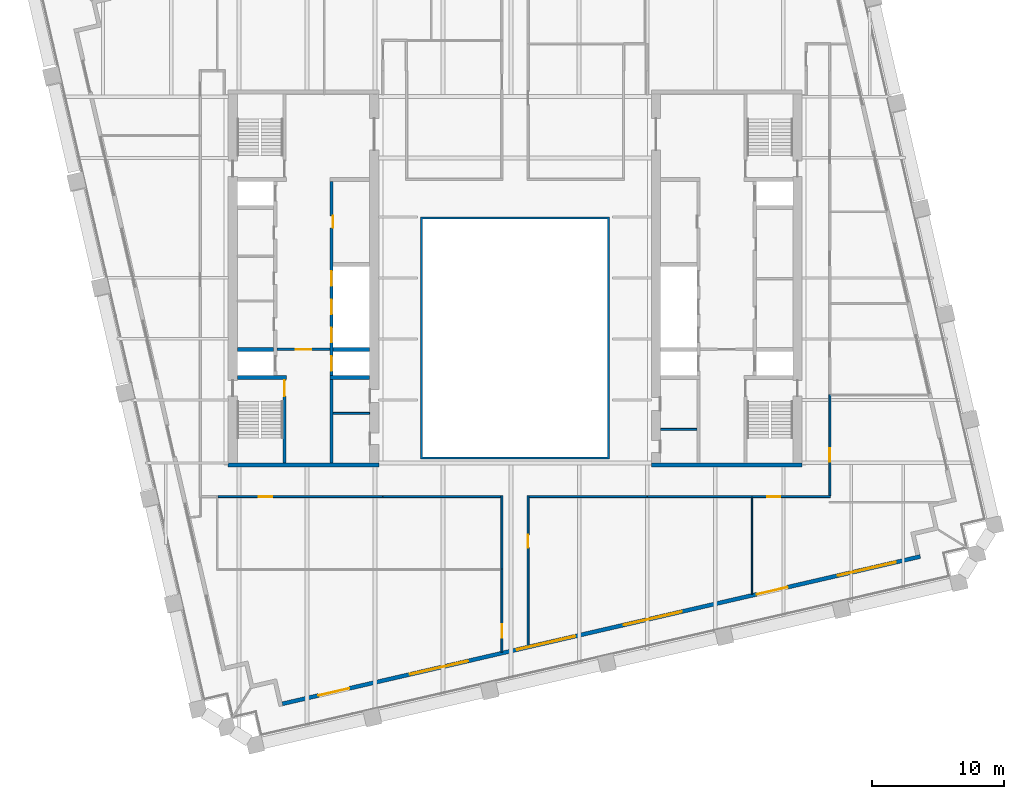
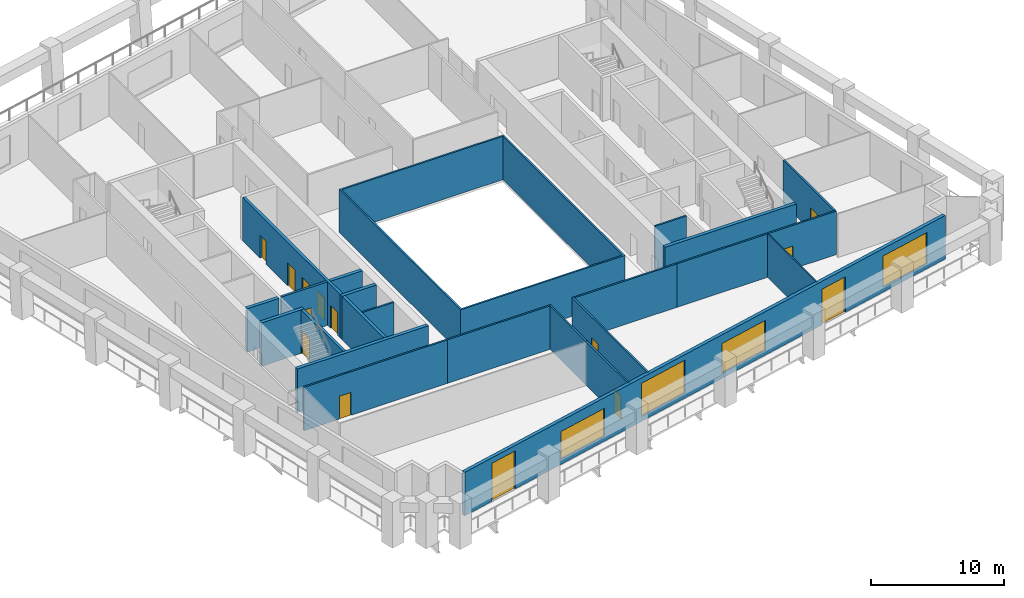
# One storey, part 4 of 10: 23 walls, 14 doors, 4 windows, 18 openings.
"""IFC4 building model written with IfcOpenShell, lengths in metres."""

from ifc_helpers import new_model, si_unit, direction, frame, frame_2d, origin, place, context, subcontext, project, spatial, polyline, rectangle, outline, extrude, material, layer, layer_set, type_object, element, fill, save


model = new_model("IFC4")

# Units and contexts
model_context = context("Model", 3, precision=1e-05, world=origin(), true_north=direction((0.0, 1.0)))
body_context = subcontext(model_context, "Body", "Model", "MODEL_VIEW")
ifc_project = project(units=[si_unit("LENGTHUNIT", "METRE"), si_unit("AREAUNIT", "SQUARE_METRE"), si_unit("VOLUMEUNIT", "CUBIC_METRE"), si_unit("PLANEANGLEUNIT", "RADIAN"), si_unit("MASSUNIT", "GRAM", prefix="KILO")], contexts=[model_context])

# Site, building, storey
site_placement = place(None, origin())
site = spatial("IfcSite", under=ifc_project, at=site_placement, CompositionType="ELEMENT")
building_placement = place(site_placement, origin())
building = spatial("IfcBuilding", under=site, at=building_placement, Name="Ogive Exchange Tower", CompositionType="ELEMENT")
storey_placement = place(building_placement, frame((0.0, 0.0, 196.800048828125)))
storey = spatial("IfcBuildingStorey", under=building, at=storey_placement, Name="L43", CompositionType="ELEMENT", Elevation=196.800048828125)

# Walls
ifc_material_1 = material(Name="Gypsum board partition")
ifc_layer_1 = layer(ifc_material_1, 0.14990234375)
ifc_layer_set_1 = layer_set([ifc_layer_1], Name="Core room partition 150 gypsum")
wall_type_1 = type_object("IfcWallType", Name="Core room partition 150 gypsum", PredefinedType="PARTITIONING", material=ifc_layer_set_1)
for number, where, z_axis, x_axis, name in (
    (1, (-13.75, 1.300048828125, 0.0), (0.0, 0.0, 1.0), (1.0, 0.0, 0.0), "W south room partition"),
    (2, (11.0, 0.10009765625, 0.0), (0.0, 0.0, 1.0), (1.0, 0.0, 0.0), "E south room partition"),
):
    element("IfcWall", number, at=place(storey_placement, frame(where, z_axis=z_axis, x_axis=x_axis)), inside=storey, type_object=wall_type_1, Name=name, PredefinedType="PARTITIONING", context=body_context, shape_type="SweptSolid", body=[
        extrude(rectangle(XDim=2.75, YDim=0.14990234375, at=frame_2d((1.375, 0.0))), origin(), (0.0, 0.0, 1.0), 4.0),
    ])

# Wall, opening, door
ifc_material_2 = material(Name="Fire partition EI 60 150")
ifc_layer_2 = layer(ifc_material_2, 0.14990234375)
ifc_layer_set_2 = layer_set([ifc_layer_2], Name="Fire partition EI 60 150")
wall_type_2 = type_object("IfcWallType", Name="Fire partition EI 60 150", PredefinedType="PARTITIONING", material=ifc_layer_set_2)
wall_1_placement = place(storey_placement, frame((-10.0, -5.0, 0.0), z_axis=(0.0, 0.0, 1.0), x_axis=(-1.0, 0.0, 0.0)))
wall_1 = element("IfcWall", 3, at=wall_1_placement, inside=storey, type_object=wall_type_2, Name="L43-PWL-013", PredefinedType="PARTITIONING", context=body_context, shape_type="SweptSolid", body=[
    extrude(rectangle(XDim=12.469970703125, YDim=0.14990234375, at=frame_2d((6.23486328125, 0.0))), origin(), (0.0, 0.0, 1.0), 4.0),
])
opening_1_placement = place(wall_1_placement, frame((8.3701171875, 0.0, 0.0)))
opening_1 = element("IfcOpeningElement", 4, at=opening_1_placement, cuts=wall_1, Name="Opening L43-I07", PredefinedType="OPENING", context=body_context, shape_type="SweptSolid", body=[
    extrude(rectangle(XDim=1.0, YDim=2.10009765625, at=frame_2d((0.5, 1.050048828125))), frame((0.0, 0.0849609375, 0.0), z_axis=(0.0, -1.0, 0.0), x_axis=(1.0, 0.0, 0.0)), (0.0, 0.0, 1.0), 0.169921875),
])
ifc_material_3 = material(Name="Fire door FD 30S 1000 x 2100")
door_type_1 = type_object("IfcDoorType", Name="Fire door FD 30S 1000 x 2100", OperationType="NOTDEFINED", PredefinedType="DOOR", material=ifc_material_3)
door_1_placement = place(opening_1_placement, origin())
door_1 = element("IfcDoor", 5, at=door_1_placement, inside=storey, type_object=door_type_1, Name="L43-IDR-007", ObjectType="DT3", OperationType="SINGLE_SWING_LEFT", OverallHeight=2.10009765625, OverallWidth=1.0, PredefinedType="DOOR", context=body_context, shape_type="SweptSolid", body=[
    extrude(rectangle(XDim=1.0, YDim=2.10009765625, at=frame_2d((0.5, 1.050048828125))), frame((0.0, 0.02490234375, 0.0), z_axis=(0.0, -1.0, 0.0), x_axis=(1.0, 0.0, 0.0)), (0.0, 0.0, 1.0), 0.050048828125),
])
fill(opening_1, door_1)

wall_2_placement = place(storey_placement, frame((-0.989990234375, -16.7529296875, 0.0), z_axis=(0.0, 0.0, 1.0), x_axis=(0.0, 1.0, 0.0)))
wall_2 = element("IfcWall", 6, at=wall_2_placement, inside=storey, type_object=wall_type_2, Name="L43-PWL-023", PredefinedType="PARTITIONING", context=body_context, shape_type="SweptSolid", body=[
    extrude(rectangle(XDim=6.302978515625, YDim=0.14990234375, at=frame_2d((3.1513671875, 0.0))), origin(), (0.0, 0.0, 1.0), 4.0),
])
opening_2_placement = place(wall_2_placement, frame((1.10302734375, 0.0, 0.0)))
opening_2 = element("IfcOpeningElement", 7, at=opening_2_placement, cuts=wall_2, Name="Opening L43-I08", PredefinedType="OPENING", context=body_context, shape_type="SweptSolid", body=[
    extrude(rectangle(XDim=1.0, YDim=2.10009765625, at=frame_2d((0.5, 1.050048828125))), frame((0.0, 0.0849609375, 0.0), z_axis=(0.0, -1.0, 0.0), x_axis=(1.0, 0.0, 0.0)), (0.0, 0.0, 1.0), 0.169921875),
])
door_2_placement = place(opening_2_placement, origin())
door_2 = element("IfcDoor", 8, at=door_2_placement, inside=storey, type_object=door_type_1, Name="L43-IDR-008", ObjectType="DT3", OperationType="SINGLE_SWING_RIGHT", OverallHeight=2.10009765625, OverallWidth=1.0, PredefinedType="DOOR", context=body_context, shape_type="SweptSolid", body=[
    extrude(rectangle(XDim=1.0, YDim=2.10009765625, at=frame_2d((0.5, 1.050048828125))), frame((0.0, 0.02490234375, 0.0), z_axis=(0.0, -1.0, 0.0), x_axis=(1.0, 0.0, 0.0)), (0.0, 0.0, 1.0), 0.050048828125),
])
fill(opening_2, door_2)

# Walls
wall_3_placement = place(storey_placement, frame((-0.989990234375, -10.449951171875, 0.0), z_axis=(0.0, 0.0, 1.0), x_axis=(0.0, 1.0, 0.0)))
element("IfcWall", 9, at=wall_3_placement, inside=storey, type_object=wall_type_2, Name="L43-PWL-025", PredefinedType="PARTITIONING", context=body_context, shape_type="SweptSolid", body=[
    extrude(rectangle(XDim=5.52490234375, YDim=0.14990234375, at=frame_2d((2.762451171875, 0.0))), origin(), (0.0, 0.0, 1.0), 4.0),
])
wall_4_placement = place(storey_placement, frame((-1.06494140625, -5.0, 0.0), z_axis=(0.0, 0.0, 1.0), x_axis=(-1.0, 0.0, 0.0)))
element("IfcWall", 10, at=wall_4_placement, inside=storey, type_object=wall_type_2, Name="L43-PWL-026", PredefinedType="PARTITIONING", context=body_context, shape_type="SweptSolid", body=[
    extrude(rectangle(XDim=8.93505859375, YDim=0.14990234375, at=frame_2d((4.467529296875, 0.0))), origin(), (0.0, 0.0, 1.0), 4.0),
])

# Wall, opening, door
wall_5_placement = place(storey_placement, frame((0.989990234375, -4.925048828125, 0.0), z_axis=(0.0, 0.0, 1.0), x_axis=(0.0, -1.0, 0.0)))
wall_5 = element("IfcWall", 11, at=wall_5_placement, inside=storey, type_object=wall_type_2, Name="L43-PWL-029", PredefinedType="PARTITIONING", context=body_context, shape_type="SweptSolid", body=[
    extrude(rectangle(XDim=11.370849609375, YDim=0.14990234375, at=frame_2d((5.685546875, 0.0))), origin(), (0.0, 0.0, 1.0), 4.0),
])
opening_3_placement = place(wall_5_placement, frame((2.945068359375, 0.0, 0.0)))
opening_3 = element("IfcOpeningElement", 12, at=opening_3_placement, cuts=wall_5, Name="Opening L43-I12", PredefinedType="OPENING", context=body_context, shape_type="SweptSolid", body=[
    extrude(rectangle(XDim=1.0, YDim=2.10009765625, at=frame_2d((0.5, 1.050048828125))), frame((0.0, 0.0849609375, 0.0), z_axis=(0.0, -1.0, 0.0), x_axis=(1.0, 0.0, 0.0)), (0.0, 0.0, 1.0), 0.169921875),
])
door_3_placement = place(opening_3_placement, origin())
door_3 = element("IfcDoor", 13, at=door_3_placement, inside=storey, type_object=door_type_1, Name="L43-IDR-012", ObjectType="DT3", OperationType="SINGLE_SWING_RIGHT", OverallHeight=2.10009765625, OverallWidth=1.0, PredefinedType="DOOR", context=body_context, shape_type="SweptSolid", body=[
    extrude(rectangle(XDim=1.0, YDim=2.10009765625, at=frame_2d((0.5, 1.050048828125))), frame((0.0, 0.02490234375, 0.0), z_axis=(0.0, -1.0, 0.0), x_axis=(1.0, 0.0, 0.0)), (0.0, 0.0, 1.0), 0.050048828125),
])
fill(opening_3, door_3)

# Walls
wall_6_placement = place(storey_placement, frame((10.0, -5.0, 0.0), z_axis=(0.0, 0.0, 1.0), x_axis=(-1.0, 0.0, 0.0)))
element("IfcWall", 14, at=wall_6_placement, inside=storey, type_object=wall_type_2, Name="L43-PWL-039", PredefinedType="PARTITIONING", context=body_context, shape_type="SweptSolid", body=[
    extrude(rectangle(XDim=8.93505859375, YDim=0.14990234375, at=frame_2d((4.467529296875, 0.0))), origin(), (0.0, 0.0, 1.0), 4.0),
])
wall_7_placement = place(storey_placement, frame((17.969970703125, -5.0, 0.0), z_axis=(0.0, 0.0, 1.0), x_axis=(-1.0, 0.0, 0.0)))
element("IfcWall", 15, at=wall_7_placement, inside=storey, type_object=wall_type_2, Name="L43-PWL-041", PredefinedType="PARTITIONING", context=body_context, shape_type="SweptSolid", body=[
    extrude(rectangle(XDim=7.969970703125, YDim=0.14990234375, at=frame_2d((3.98486328125, 0.0))), origin(), (0.0, 0.0, 1.0), 4.0),
])

# Wall, opening, door
wall_8_placement = place(storey_placement, frame((23.840087890625, -5.0, 0.0), z_axis=(0.0, 0.0, 1.0), x_axis=(-1.0, 0.0, 0.0)))
wall_8 = element("IfcWall", 16, at=wall_8_placement, inside=storey, type_object=wall_type_2, Name="L43-PWL-047", PredefinedType="PARTITIONING", context=body_context, shape_type="SweptSolid", body=[
    extrude(rectangle(XDim=5.920166015625, YDim=0.14990234375, at=frame_2d((2.9599609375, 0.0))), origin(), (0.0, 0.0, 1.0), 4.0),
])
opening_4_placement = place(wall_8_placement, frame((3.77001953125, 0.0, 0.0)))
opening_4 = element("IfcOpeningElement", 17, at=opening_4_placement, cuts=wall_8, Name="Opening L43-I13", PredefinedType="OPENING", context=body_context, shape_type="SweptSolid", body=[
    extrude(rectangle(XDim=1.0, YDim=2.10009765625, at=frame_2d((0.5, 1.050048828125))), frame((0.0, 0.0849609375, 0.0), z_axis=(0.0, -1.0, 0.0), x_axis=(1.0, 0.0, 0.0)), (0.0, 0.0, 1.0), 0.169921875),
])
door_4_placement = place(opening_4_placement, origin())
door_4 = element("IfcDoor", 18, at=door_4_placement, inside=storey, type_object=door_type_1, Name="L43-IDR-013", ObjectType="DT3", OperationType="SINGLE_SWING_LEFT", OverallHeight=2.10009765625, OverallWidth=1.0, PredefinedType="DOOR", context=body_context, shape_type="SweptSolid", body=[
    extrude(rectangle(XDim=1.0, YDim=2.10009765625, at=frame_2d((0.5, 1.050048828125))), frame((0.0, 0.02490234375, 0.0), z_axis=(0.0, -1.0, 0.0), x_axis=(1.0, 0.0, 0.0)), (0.0, 0.0, 1.0), 0.050048828125),
])
fill(opening_4, door_4)

wall_9_placement = place(storey_placement, frame((23.800048828125, 2.739990234375, 0.0), z_axis=(0.0, 0.0, 1.0), x_axis=(0.0, -1.0, 0.0)))
wall_9 = element("IfcWall", 19, at=wall_9_placement, inside=storey, type_object=wall_type_2, Name="L43-PWL-050", PredefinedType="PARTITIONING", context=body_context, shape_type="SweptSolid", body=[
    extrude(rectangle(XDim=7.6650390625, YDim=0.14990234375, at=frame_2d((3.83251953125, 0.0))), origin(), (0.0, 0.0, 1.0), 4.0),
])
opening_5_placement = place(wall_9_placement, frame((4.090087890625, 0.0, 0.0)))
opening_5 = element("IfcOpeningElement", 20, at=opening_5_placement, cuts=wall_9, Name="Opening L43-I15", PredefinedType="OPENING", context=body_context, shape_type="SweptSolid", body=[
    extrude(rectangle(XDim=1.0, YDim=2.10009765625, at=frame_2d((0.5, 1.050048828125))), frame((0.0, 0.0849609375, 0.0), z_axis=(0.0, -1.0, 0.0), x_axis=(1.0, 0.0, 0.0)), (0.0, 0.0, 1.0), 0.169921875),
])
door_5_placement = place(opening_5_placement, origin())
door_5 = element("IfcDoor", 21, at=door_5_placement, inside=storey, type_object=door_type_1, Name="L43-IDR-015", ObjectType="DT3", OperationType="SINGLE_SWING_LEFT", OverallHeight=2.10009765625, OverallWidth=1.0, PredefinedType="DOOR", context=body_context, shape_type="SweptSolid", body=[
    extrude(rectangle(XDim=1.0, YDim=2.10009765625, at=frame_2d((0.5, 1.050048828125))), frame((0.0, 0.02490234375, 0.0), z_axis=(0.0, -1.0, 0.0), x_axis=(1.0, 0.0, 0.0)), (0.0, 0.0, 1.0), 0.050048828125),
])
fill(opening_5, door_5)

# Wall
ifc_material_4 = material(Name="Fire-resisting glass in steel frame", Category="steel")
ifc_layer_3 = layer(ifc_material_4, 0.14990234375)
ifc_layer_set_3 = layer_set([ifc_layer_3], Name="Fire-rated glazed wall 150")
wall_type_3 = type_object("IfcWallType", Name="Fire-rated glazed wall 150", PredefinedType="STANDARD", material=ifc_layer_set_3)
wall_10_placement = place(storey_placement, origin())
element("IfcWall", 22, at=wall_10_placement, inside=storey, type_object=wall_type_3, Name="Nave enclosure wall", PredefinedType="STANDARD", context=body_context, shape_type="SweptSolid", body=[
    extrude(outline(polyline([(-7.14990234375, -2.14990234375), (7.14990234375, -2.14990234375), (7.14990234375, 16.14990234375), (-7.14990234375, 16.14990234375), (-7.14990234375, -2.14990234375)]), holes=[polyline([(-7.0, -2.0), (-7.0, 16.0), (7.0, 16.0), (7.0, -2.0), (-7.0, -2.0)])]), origin(), (0.0, 0.0, 1.0), 4.0),
])

# Wall, openings, doors, windows
ifc_material_5 = material(Name="Precast concrete C40/50", Category="concrete")
ifc_layer_4 = layer(ifc_material_5, 0.300048828125)
ifc_layer_set_4 = layer_set([ifc_layer_4], Name="Limestone-faced wall 300")
wall_type_4 = type_object("IfcWallType", Name="Limestone-faced wall 300", PredefinedType="STANDARD", material=ifc_layer_set_4)
wall_11_placement = place(storey_placement, frame((-17.592041015625, -20.6572265625, 0.0), z_axis=(0.0, 0.0, 1.0), x_axis=(0.974370243697, 0.224950279389, 0.0)))
wall_11 = element("IfcWall", 23, at=wall_11_placement, inside=storey, type_object=wall_type_4, Name="External wall S1", PredefinedType="STANDARD", context=body_context, shape_type="SweptSolid", body=[
    extrude(rectangle(XDim=49.499755859375, YDim=0.300048828125, at=frame_2d((24.75, 0.0))), origin(), (0.0, 0.0, 1.0), 4.0),
])
opening_6_placement = place(wall_11_placement, frame((2.800048828125, 0.0, 0.0)))
opening_6 = element("IfcOpeningElement", 24, at=opening_6_placement, cuts=wall_11, Name="Opening D1", PredefinedType="OPENING", context=body_context, shape_type="SweptSolid", body=[
    extrude(rectangle(XDim=2.39990234375, YDim=3.5, at=frame_2d((1.199951171875, 1.75))), frame((0.0, 0.159912109375, 0.0), z_axis=(0.0, -1.0, 0.0), x_axis=(1.0, 0.0, 0.0)), (0.0, 0.0, 1.0), 0.320068359375),
])
opening_7_placement = place(wall_11_placement, frame((9.89990234375, 0.0, 0.449951171875)))
opening_7 = element("IfcOpeningElement", 25, at=opening_7_placement, cuts=wall_11, Name="Opening W1M", PredefinedType="OPENING", context=body_context, shape_type="SweptSolid", body=[
    extrude(rectangle(XDim=4.5, YDim=2.574951171875, at=frame_2d((2.25, 1.28759765625))), frame((0.0, 0.159912109375, 0.0), z_axis=(0.0, -1.0, 0.0), x_axis=(1.0, 0.0, 0.0)), (0.0, 0.0, 1.0), 0.320068359375),
])
opening_8_placement = place(wall_11_placement, frame((18.199951171875, 0.0, 0.449951171875)))
opening_8 = element("IfcOpeningElement", 26, at=opening_8_placement, cuts=wall_11, Name="Opening W1", PredefinedType="OPENING", context=body_context, shape_type="SweptSolid", body=[
    extrude(rectangle(XDim=4.5, YDim=3.050048828125, at=frame_2d((2.25, 1.52490234375))), frame((0.0, 0.159912109375, 0.0), z_axis=(0.0, -1.0, 0.0), x_axis=(1.0, 0.0, 0.0)), (0.0, 0.0, 1.0), 0.320068359375),
])
opening_9_placement = place(wall_11_placement, frame((26.5, 0.0, 0.449951171875)))
opening_9 = element("IfcOpeningElement", 27, at=opening_9_placement, cuts=wall_11, Name="Opening W1H", PredefinedType="OPENING", context=body_context, shape_type="SweptSolid", body=[
    extrude(rectangle(XDim=4.5, YDim=2.75, at=frame_2d((2.25, 1.375))), frame((0.0, 0.159912109375, 0.0), z_axis=(0.0, -1.0, 0.0), x_axis=(1.0, 0.0, 0.0)), (0.0, 0.0, 1.0), 0.320068359375),
])
opening_10_placement = place(wall_11_placement, frame((36.800048828125, 0.0, 0.0)))
opening_10 = element("IfcOpeningElement", 28, at=opening_10_placement, cuts=wall_11, Name="Opening D1E", PredefinedType="OPENING", context=body_context, shape_type="SweptSolid", body=[
    extrude(rectangle(XDim=2.39990234375, YDim=3.27490234375, at=frame_2d((1.199951171875, 1.637451171875))), frame((0.0, 0.159912109375, 0.0), z_axis=(0.0, -1.0, 0.0), x_axis=(1.0, 0.0, 0.0)), (0.0, 0.0, 1.0), 0.320068359375),
])
opening_11_placement = place(wall_11_placement, frame((43.10009765625, 0.0, 0.449951171875)))
opening_11 = element("IfcOpeningElement", 29, at=opening_11_placement, cuts=wall_11, Name="Opening W1D", PredefinedType="OPENING", context=body_context, shape_type="SweptSolid", body=[
    extrude(rectangle(XDim=4.5, YDim=2.875, at=frame_2d((2.25, 1.4375))), frame((0.0, 0.159912109375, 0.0), z_axis=(0.0, -1.0, 0.0), x_axis=(1.0, 0.0, 0.0)), (0.0, 0.0, 1.0), 0.320068359375),
])
ifc_material_6 = material(Name="Clear glass in bronze frame", Category="glass")
door_type_2 = type_object("IfcDoorType", Name="Sliding loggia door 2400 x 3275", OperationType="DOUBLE_DOOR_SLIDING", PredefinedType="DOOR", material=ifc_material_6)
door_6_placement = place(opening_10_placement, origin())
door_6 = element("IfcDoor", 30, at=door_6_placement, inside=storey, type_object=door_type_2, Name="Loggia door S04", OperationType="DOUBLE_DOOR_SLIDING", OverallHeight=3.27490234375, OverallWidth=2.39990234375, PredefinedType="DOOR", context=body_context, shape_type="SweptSolid", body=[
    extrude(rectangle(XDim=2.39990234375, YDim=3.27490234375, at=frame_2d((1.199951171875, 1.637451171875))), frame((0.0, 0.02490234375, 0.0), z_axis=(0.0, -1.0, 0.0), x_axis=(1.0, 0.0, 0.0)), (0.0, 0.0, 1.0), 0.050048828125),
])
fill(opening_10, door_6)
door_type_3 = type_object("IfcDoorType", Name="Sliding loggia door 2400 x 3500", OperationType="DOUBLE_DOOR_SLIDING", PredefinedType="DOOR", material=ifc_material_6)
door_7_placement = place(opening_6_placement, origin())
door_7 = element("IfcDoor", 31, at=door_7_placement, inside=storey, type_object=door_type_3, Name="Loggia door S00", OperationType="DOUBLE_DOOR_SLIDING", OverallHeight=3.5, OverallWidth=2.39990234375, PredefinedType="DOOR", context=body_context, shape_type="SweptSolid", body=[
    extrude(rectangle(XDim=2.39990234375, YDim=3.5, at=frame_2d((1.199951171875, 1.75))), frame((0.0, 0.02490234375, 0.0), z_axis=(0.0, -1.0, 0.0), x_axis=(1.0, 0.0, 0.0)), (0.0, 0.0, 1.0), 0.050048828125),
])
fill(opening_6, door_7)
window_type_1 = type_object("IfcWindowType", Name="Twin lancet window 4500 x 2575", PartitioningType="DOUBLE_PANEL_VERTICAL", PredefinedType="WINDOW", material=ifc_material_6)
window_1_placement = place(opening_7_placement, origin())
window_1 = element("IfcWindow", 32, at=window_1_placement, inside=storey, type_object=window_type_1, Name="Window S01", OverallHeight=2.574951171875, OverallWidth=4.5, PartitioningType="DOUBLE_PANEL_VERTICAL", PredefinedType="WINDOW", context=body_context, shape_type="SweptSolid", body=[
    extrude(rectangle(XDim=4.5, YDim=2.574951171875, at=frame_2d((2.25, 1.28759765625))), frame((0.0, 0.030029296875, 0.0), z_axis=(0.0, -1.0, 0.0), x_axis=(1.0, 0.0, 0.0)), (0.0, 0.0, 1.0), 0.06005859375),
])
fill(opening_7, window_1)
window_type_2 = type_object("IfcWindowType", Name="Twin lancet window 4500 x 2750", PartitioningType="DOUBLE_PANEL_VERTICAL", PredefinedType="WINDOW", material=ifc_material_6)
window_2_placement = place(opening_9_placement, origin())
window_2 = element("IfcWindow", 33, at=window_2_placement, inside=storey, type_object=window_type_2, Name="Window S03", OverallHeight=2.75, OverallWidth=4.5, PartitioningType="DOUBLE_PANEL_VERTICAL", PredefinedType="WINDOW", context=body_context, shape_type="SweptSolid", body=[
    extrude(rectangle(XDim=4.5, YDim=2.75, at=frame_2d((2.25, 1.375))), frame((0.0, 0.030029296875, 0.0), z_axis=(0.0, -1.0, 0.0), x_axis=(1.0, 0.0, 0.0)), (0.0, 0.0, 1.0), 0.06005859375),
])
fill(opening_9, window_2)
window_type_3 = type_object("IfcWindowType", Name="Twin lancet window 4500 x 2875", PartitioningType="DOUBLE_PANEL_VERTICAL", PredefinedType="WINDOW", material=ifc_material_6)
window_3_placement = place(opening_11_placement, origin())
window_3 = element("IfcWindow", 34, at=window_3_placement, inside=storey, type_object=window_type_3, Name="Window S05", OverallHeight=2.875, OverallWidth=4.5, PartitioningType="DOUBLE_PANEL_VERTICAL", PredefinedType="WINDOW", context=body_context, shape_type="SweptSolid", body=[
    extrude(rectangle(XDim=4.5, YDim=2.875, at=frame_2d((2.25, 1.4375))), frame((0.0, 0.030029296875, 0.0), z_axis=(0.0, -1.0, 0.0), x_axis=(1.0, 0.0, 0.0)), (0.0, 0.0, 1.0), 0.06005859375),
])
fill(opening_11, window_3)
window_type_4 = type_object("IfcWindowType", Name="Twin lancet window 4500 x 3050", PartitioningType="DOUBLE_PANEL_VERTICAL", PredefinedType="WINDOW", material=ifc_material_6)
window_4_placement = place(opening_8_placement, origin())
window_4 = element("IfcWindow", 35, at=window_4_placement, inside=storey, type_object=window_type_4, Name="Window S02", OverallHeight=3.050048828125, OverallWidth=4.5, PartitioningType="DOUBLE_PANEL_VERTICAL", PredefinedType="WINDOW", context=body_context, shape_type="SweptSolid", body=[
    extrude(rectangle(XDim=4.5, YDim=3.050048828125, at=frame_2d((2.25, 1.52490234375))), frame((0.0, 0.030029296875, 0.0), z_axis=(0.0, -1.0, 0.0), x_axis=(1.0, 0.0, 0.0)), (0.0, 0.0, 1.0), 0.06005859375),
])
fill(opening_8, window_4)

# Wall
ifc_material_7 = material(Name="Partition 100 gypsum")
ifc_layer_5 = layer(ifc_material_7, 0.10009765625)
ifc_layer_set_5 = layer_set([ifc_layer_5], Name="Partition 100 gypsum")
wall_type_5 = type_object("IfcWallType", Name="Partition 100 gypsum", PredefinedType="PARTITIONING", material=ifc_layer_set_5)
wall_12_placement = place(storey_placement, frame((17.919921875, -5.074951171875, 0.0), z_axis=(0.0, 0.0, 1.0), x_axis=(0.0, -1.0, 0.0)))
element("IfcWall", 36, at=wall_12_placement, inside=storey, type_object=wall_type_5, Name="L43-PWL-042", PredefinedType="PARTITIONING", context=body_context, shape_type="SweptSolid", body=[
    extrude(rectangle(XDim=7.31201171875, YDim=0.10009765625, at=frame_2d((3.656005859375, 0.0))), origin(), (0.0, 0.0, 1.0), 4.0),
])

# Wall, opening, door
ifc_material_8 = material(Name="Concrete C70/85", Category="concrete")
ifc_layer_6 = layer(ifc_material_8, 0.199951171875)
ifc_layer_set_6 = layer_set([ifc_layer_6], Name="RC core wall 200 C70/85")
wall_type_6 = type_object("IfcWallType", Name="RC core wall 200 C70/85", PredefinedType="SHEAR", material=ifc_layer_set_6)
wall_13_placement = place(storey_placement, frame((-18.0, 6.142822265625, 0.0), z_axis=(0.0, 0.0, 1.0), x_axis=(1.0, 0.0, 0.0)))
wall_13 = element("IfcWall", 37, at=wall_13_placement, inside=storey, type_object=wall_type_6, Name="W firefighting lobby wall", PredefinedType="SHEAR", context=body_context, shape_type="SweptSolid", body=[
    extrude(rectangle(XDim=4.0, YDim=0.199951171875, at=frame_2d((2.0, 0.0))), origin(), (0.0, 0.0, 1.0), 4.0),
])
opening_12_placement = place(wall_13_placement, frame((1.39990234375, 0.0, 0.0)))
opening_12 = element("IfcOpeningElement", 38, at=opening_12_placement, cuts=wall_13, Name="Opening L43-C11", PredefinedType="OPENING", context=body_context, shape_type="SweptSolid", body=[
    extrude(rectangle(XDim=1.199951171875, YDim=2.10009765625, at=frame_2d((0.60009765625, 1.050048828125))), frame((0.0, 0.10986328125, 0.0), z_axis=(0.0, -1.0, 0.0), x_axis=(1.0, 0.0, 0.0)), (0.0, 0.0, 1.0), 0.219970703125),
])
ifc_material_9 = material(Name="Steel fire door", Category="steel")
door_type_4 = type_object("IfcDoorType", Name="Firefighting lobby door FD60 1200 x 2100", OperationType="NOTDEFINED", PredefinedType="DOOR", material=ifc_material_9)
door_8_placement = place(opening_12_placement, frame((1.199951171875, 0.0, 0.0), z_axis=(0.0, 0.0, 1.0), x_axis=(-1.0, 0.0, 0.0)))
door_8 = element("IfcDoor", 39, at=door_8_placement, inside=storey, type_object=door_type_4, Name="Firefighting lobby door", ObjectType="CD3", OperationType="SINGLE_SWING_LEFT", OverallHeight=2.10009765625, OverallWidth=1.199951171875, PredefinedType="DOOR", context=body_context, shape_type="SweptSolid", body=[
    extrude(rectangle(XDim=1.199951171875, YDim=2.10009765625, at=frame_2d((0.60009765625, 1.050048828125))), frame((0.0, 0.02490234375, 0.0), z_axis=(0.0, -1.0, 0.0), x_axis=(1.0, 0.0, 0.0)), (0.0, 0.0, 1.0), 0.050048828125),
])
fill(opening_12, door_8)

ifc_layer_7 = layer(ifc_material_8, 0.25)
ifc_layer_set_7 = layer_set([ifc_layer_7], Name="RC core wall 250 C70/85")
wall_type_7 = type_object("IfcWallType", Name="RC core wall 250 C70/85", PredefinedType="SHEAR", material=ifc_layer_set_7)
wall_14_placement = place(storey_placement, frame((-17.425048828125, -2.449951171875, 0.0), z_axis=(0.0, 0.0, 1.0), x_axis=(0.0, 1.0, 0.0)))
wall_14 = element("IfcWall", 40, at=wall_14_placement, inside=storey, type_object=wall_type_7, Name="W stair S front wall", PredefinedType="SHEAR", context=body_context, shape_type="SweptSolid", body=[
    extrude(rectangle(XDim=6.300048828125, YDim=0.25, at=frame_2d((3.14990234375, 0.0))), origin(), (0.0, 0.0, 1.0), 4.0),
])
opening_13_placement = place(wall_14_placement, frame((5.050048828125, 0.0, 0.0)))
opening_13 = element("IfcOpeningElement", 41, at=opening_13_placement, cuts=wall_14, Name="Opening L43-C13", PredefinedType="OPENING", context=body_context, shape_type="SweptSolid", body=[
    extrude(rectangle(XDim=1.199951171875, YDim=2.10009765625, at=frame_2d((0.60009765625, 1.050048828125))), frame((0.0, 0.135009765625, 0.0), z_axis=(0.0, -1.0, 0.0), x_axis=(1.0, 0.0, 0.0)), (0.0, 0.0, 1.0), 0.27001953125),
])
door_type_5 = type_object("IfcDoorType", Name="Stair door FD90 1200 x 2100", OperationType="NOTDEFINED", PredefinedType="DOOR", material=ifc_material_9)
door_9_placement = place(opening_13_placement, origin())
door_9 = element("IfcDoor", 42, at=door_9_placement, inside=storey, type_object=door_type_5, Name="Stair door", ObjectType="CD5", OperationType="SINGLE_SWING_LEFT", OverallHeight=2.10009765625, OverallWidth=1.199951171875, PredefinedType="DOOR", context=body_context, shape_type="SweptSolid", body=[
    extrude(rectangle(XDim=1.199951171875, YDim=2.10009765625, at=frame_2d((0.60009765625, 1.050048828125))), frame((0.0, 0.02490234375, 0.0), z_axis=(0.0, -1.0, 0.0), x_axis=(1.0, 0.0, 0.0)), (0.0, 0.0, 1.0), 0.050048828125),
])
fill(opening_13, door_9)

# Wall, openings, doors
wall_15_placement = place(storey_placement, frame((-13.875, -2.449951171875, 0.0), z_axis=(0.0, 0.0, 1.0), x_axis=(0.0, 1.0, 0.0)))
wall_15 = element("IfcWall", 43, at=wall_15_placement, inside=storey, type_object=wall_type_7, Name="W row B front wall", PredefinedType="SHEAR", context=body_context, shape_type="SweptSolid", body=[
    extrude(rectangle(XDim=21.300048828125, YDim=0.25, at=frame_2d((10.64990234375, 0.0))), origin(), (0.0, 0.0, 1.0), 4.0),
])
opening_14_placement = place(wall_15_placement, frame((17.78564453125, 0.0, 0.0)))
opening_14 = element("IfcOpeningElement", 44, at=opening_14_placement, cuts=wall_15, Name="Opening L43-C06", PredefinedType="OPENING", context=body_context, shape_type="SweptSolid", body=[
    extrude(rectangle(XDim=0.89990234375, YDim=2.10009765625, at=frame_2d((0.449951171875, 1.050048828125))), frame((0.0, 0.135009765625, 0.0), z_axis=(0.0, -1.0, 0.0), x_axis=(1.0, 0.0, 0.0)), (0.0, 0.0, 1.0), 0.27001953125),
])
opening_15_placement = place(wall_15_placement, frame((6.971435546875, 0.0, 0.0)))
opening_15 = element("IfcOpeningElement", 45, at=opening_15_placement, cuts=wall_15, Name="Opening L43-C07", PredefinedType="OPENING", context=body_context, shape_type="SweptSolid", body=[
    extrude(rectangle(XDim=1.10009765625, YDim=2.10009765625, at=frame_2d((0.550048828125, 1.050048828125))), frame((0.0, 0.135009765625, 0.0), z_axis=(0.0, -1.0, 0.0), x_axis=(1.0, 0.0, 0.0)), (0.0, 0.0, 1.0), 0.27001953125),
])
opening_16_placement = place(wall_15_placement, frame((9.1142578125, 0.0, 0.0)))
opening_16 = element("IfcOpeningElement", 46, at=opening_16_placement, cuts=wall_15, Name="Opening L43-C08", PredefinedType="OPENING", context=body_context, shape_type="SweptSolid", body=[
    extrude(rectangle(XDim=1.10009765625, YDim=2.10009765625, at=frame_2d((0.550048828125, 1.050048828125))), frame((0.0, 0.135009765625, 0.0), z_axis=(0.0, -1.0, 0.0), x_axis=(1.0, 0.0, 0.0)), (0.0, 0.0, 1.0), 0.27001953125),
])
opening_17_placement = place(wall_15_placement, frame((11.257080078125, 0.0, 0.0)))
opening_17 = element("IfcOpeningElement", 47, at=opening_17_placement, cuts=wall_15, Name="Opening L43-C09", PredefinedType="OPENING", context=body_context, shape_type="SweptSolid", body=[
    extrude(rectangle(XDim=1.10009765625, YDim=2.10009765625, at=frame_2d((0.550048828125, 1.050048828125))), frame((0.0, 0.135009765625, 0.0), z_axis=(0.0, -1.0, 0.0), x_axis=(1.0, 0.0, 0.0)), (0.0, 0.0, 1.0), 0.27001953125),
])
opening_18_placement = place(wall_15_placement, frame((13.39990234375, 0.0, 0.0)))
opening_18 = element("IfcOpeningElement", 48, at=opening_18_placement, cuts=wall_15, Name="Opening L43-C10", PredefinedType="OPENING", context=body_context, shape_type="SweptSolid", body=[
    extrude(rectangle(XDim=1.10009765625, YDim=2.10009765625, at=frame_2d((0.550048828125, 1.050048828125))), frame((0.0, 0.135009765625, 0.0), z_axis=(0.0, -1.0, 0.0), x_axis=(1.0, 0.0, 0.0)), (0.0, 0.0, 1.0), 0.27001953125),
])
ifc_material_10 = material(Name="Stainless steel", Category="steel")
door_type_6 = type_object("IfcDoorType", Name="Lift landing door FD90 1100 x 2100", OperationType="SLIDING_TO_LEFT", PredefinedType="DOOR", material=ifc_material_10)
door_10_placement = place(opening_15_placement, origin())
door_10 = element("IfcDoor", 49, at=door_10_placement, inside=storey, type_object=door_type_6, Name="Lift landing door SV1", ObjectType="LD", OperationType="SLIDING_TO_LEFT", OverallHeight=2.10009765625, OverallWidth=1.10009765625, PredefinedType="DOOR", context=body_context, shape_type="SweptSolid", body=[
    extrude(rectangle(XDim=1.10009765625, YDim=2.10009765625, at=frame_2d((0.550048828125, 1.050048828125))), frame((0.0, 0.02490234375, 0.0), z_axis=(0.0, -1.0, 0.0), x_axis=(1.0, 0.0, 0.0)), (0.0, 0.0, 1.0), 0.050048828125),
])
fill(opening_15, door_10)
door_11_placement = place(opening_16_placement, origin())
door_11 = element("IfcDoor", 50, at=door_11_placement, inside=storey, type_object=door_type_6, Name="Lift landing door W-M1", ObjectType="LD", OperationType="SLIDING_TO_LEFT", OverallHeight=2.10009765625, OverallWidth=1.10009765625, PredefinedType="DOOR", context=body_context, shape_type="SweptSolid", body=[
    extrude(rectangle(XDim=1.10009765625, YDim=2.10009765625, at=frame_2d((0.550048828125, 1.050048828125))), frame((0.0, 0.02490234375, 0.0), z_axis=(0.0, -1.0, 0.0), x_axis=(1.0, 0.0, 0.0)), (0.0, 0.0, 1.0), 0.050048828125),
])
fill(opening_16, door_11)
door_12_placement = place(opening_17_placement, origin())
door_12 = element("IfcDoor", 51, at=door_12_placement, inside=storey, type_object=door_type_6, Name="Lift landing door W-M2", ObjectType="LD", OperationType="SLIDING_TO_LEFT", OverallHeight=2.10009765625, OverallWidth=1.10009765625, PredefinedType="DOOR", context=body_context, shape_type="SweptSolid", body=[
    extrude(rectangle(XDim=1.10009765625, YDim=2.10009765625, at=frame_2d((0.550048828125, 1.050048828125))), frame((0.0, 0.02490234375, 0.0), z_axis=(0.0, -1.0, 0.0), x_axis=(1.0, 0.0, 0.0)), (0.0, 0.0, 1.0), 0.050048828125),
])
fill(opening_17, door_12)
door_13_placement = place(opening_18_placement, origin())
door_13 = element("IfcDoor", 52, at=door_13_placement, inside=storey, type_object=door_type_6, Name="Lift landing door W-M3", ObjectType="LD", OperationType="SLIDING_TO_LEFT", OverallHeight=2.10009765625, OverallWidth=1.10009765625, PredefinedType="DOOR", context=body_context, shape_type="SweptSolid", body=[
    extrude(rectangle(XDim=1.10009765625, YDim=2.10009765625, at=frame_2d((0.550048828125, 1.050048828125))), frame((0.0, 0.02490234375, 0.0), z_axis=(0.0, -1.0, 0.0), x_axis=(1.0, 0.0, 0.0)), (0.0, 0.0, 1.0), 0.050048828125),
])
fill(opening_18, door_13)
door_type_7 = type_object("IfcDoorType", Name="Riser door FD60 900 x 2100", OperationType="NOTDEFINED", PredefinedType="DOOR", material=ifc_material_9)
door_14_placement = place(opening_14_placement, frame((0.89990234375, -0.2001953125, 0.0), z_axis=(0.0, 0.0, 1.0), x_axis=(-1.0, 0.0, 0.0)))
door_14 = element("IfcDoor", 53, at=door_14_placement, inside=storey, type_object=door_type_7, Name="Riser door", ObjectType="CD2", OperationType="SINGLE_SWING_LEFT", OverallHeight=2.10009765625, OverallWidth=0.89990234375, PredefinedType="DOOR", context=body_context, shape_type="SweptSolid", body=[
    extrude(rectangle(XDim=0.89990234375, YDim=2.10009765625, at=frame_2d((0.449951171875, 1.050048828125))), frame((0.0, -0.0751953125, 0.0), z_axis=(0.0, -1.0, 0.0), x_axis=(1.0, 0.0, 0.0)), (0.0, 0.0, 1.0), 0.050048828125),
])
fill(opening_14, door_14)

# Walls
ifc_layer_8 = layer(ifc_material_8, 0.300048828125)
ifc_layer_set_8 = layer_set([ifc_layer_8], Name="RC core wall 300 C70/85")
wall_type_8 = type_object("IfcWallType", Name="RC core wall 300 C70/85", PredefinedType="SHEAR", material=ifc_layer_set_8)
wall_16_placement = place(storey_placement, frame((-21.699951171875, -2.60009765625, 0.0), z_axis=(0.0, 0.0, 1.0), x_axis=(1.0, 0.0, 0.0)))
element("IfcWall", 54, at=wall_16_placement, inside=storey, type_object=wall_type_8, Name="W south end wall", PredefinedType="SHEAR", context=body_context, shape_type="SweptSolid", body=[
    extrude(rectangle(XDim=11.39990234375, YDim=0.300048828125, at=frame_2d((5.699951171875, 0.0))), origin(), (0.0, 0.0, 1.0), 4.0),
])
wall_17_placement = place(storey_placement, frame((-21.0, 4.0, 0.0), z_axis=(0.0, 0.0, 1.0), x_axis=(1.0, 0.0, 0.0)))
element("IfcWall", 55, at=wall_17_placement, inside=storey, type_object=wall_type_8, Name="W stair S north wall", PredefinedType="SHEAR", context=body_context, shape_type="SweptSolid", body=[
    extrude(rectangle(XDim=3.699951171875, YDim=0.300048828125, at=frame_2d((1.85009765625, 0.0))), origin(), (0.0, 0.0, 1.0), 4.0),
])
wall_18_placement = place(storey_placement, frame((-21.0, 6.142822265625, 0.0), z_axis=(0.0, 0.0, 1.0), x_axis=(1.0, 0.0, 0.0)))
element("IfcWall", 56, at=wall_18_placement, inside=storey, type_object=wall_type_8, Name="W row A divider 1", PredefinedType="SHEAR", context=body_context, shape_type="SweptSolid", body=[
    extrude(rectangle(XDim=2.75, YDim=0.300048828125, at=frame_2d((1.375, 0.0))), origin(), (0.0, 0.0, 1.0), 4.0),
])
wall_19_placement = place(storey_placement, frame((-14.0, 4.0, 0.0), z_axis=(0.0, 0.0, 1.0), x_axis=(1.0, 0.0, 0.0)))
element("IfcWall", 57, at=wall_19_placement, inside=storey, type_object=wall_type_8, Name="W row B divider 0", PredefinedType="SHEAR", context=body_context, shape_type="SweptSolid", body=[
    extrude(rectangle(XDim=3.0, YDim=0.300048828125, at=frame_2d((1.5, 0.0))), origin(), (0.0, 0.0, 1.0), 4.0),
])
wall_20_placement = place(storey_placement, frame((-13.75, 6.142822265625, 0.0), z_axis=(0.0, 0.0, 1.0), x_axis=(1.0, 0.0, 0.0)))
element("IfcWall", 58, at=wall_20_placement, inside=storey, type_object=wall_type_8, Name="W row B divider 1", PredefinedType="SHEAR", context=body_context, shape_type="SweptSolid", body=[
    extrude(rectangle(XDim=2.75, YDim=0.300048828125, at=frame_2d((1.375, 0.0))), origin(), (0.0, 0.0, 1.0), 4.0),
])
wall_21_placement = place(storey_placement, frame((10.300048828125, -2.60009765625, 0.0), z_axis=(0.0, 0.0, 1.0), x_axis=(1.0, 0.0, 0.0)))
element("IfcWall", 59, at=wall_21_placement, inside=storey, type_object=wall_type_8, Name="E south end wall", PredefinedType="SHEAR", context=body_context, shape_type="SweptSolid", body=[
    extrude(rectangle(XDim=11.39990234375, YDim=0.300048828125, at=frame_2d((5.699951171875, 0.0))), origin(), (0.0, 0.0, 1.0), 4.0),
])

save(model, "model.ifc")
